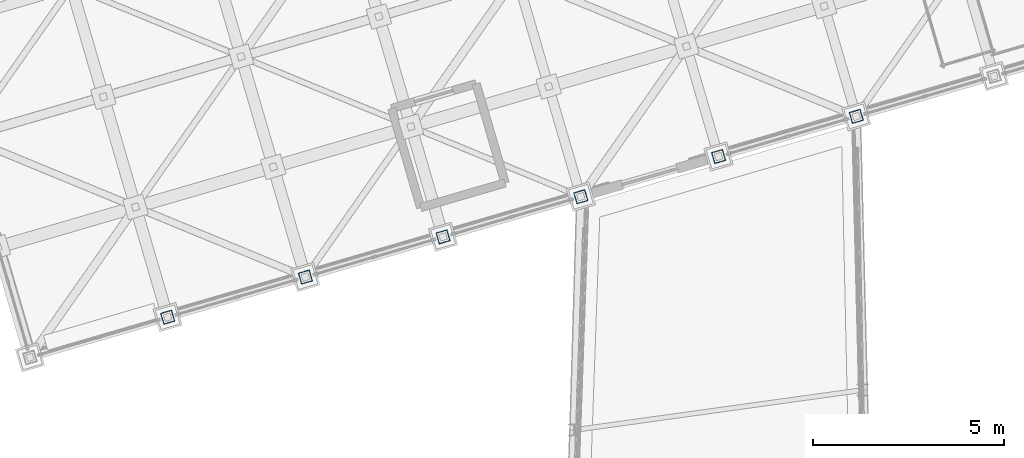
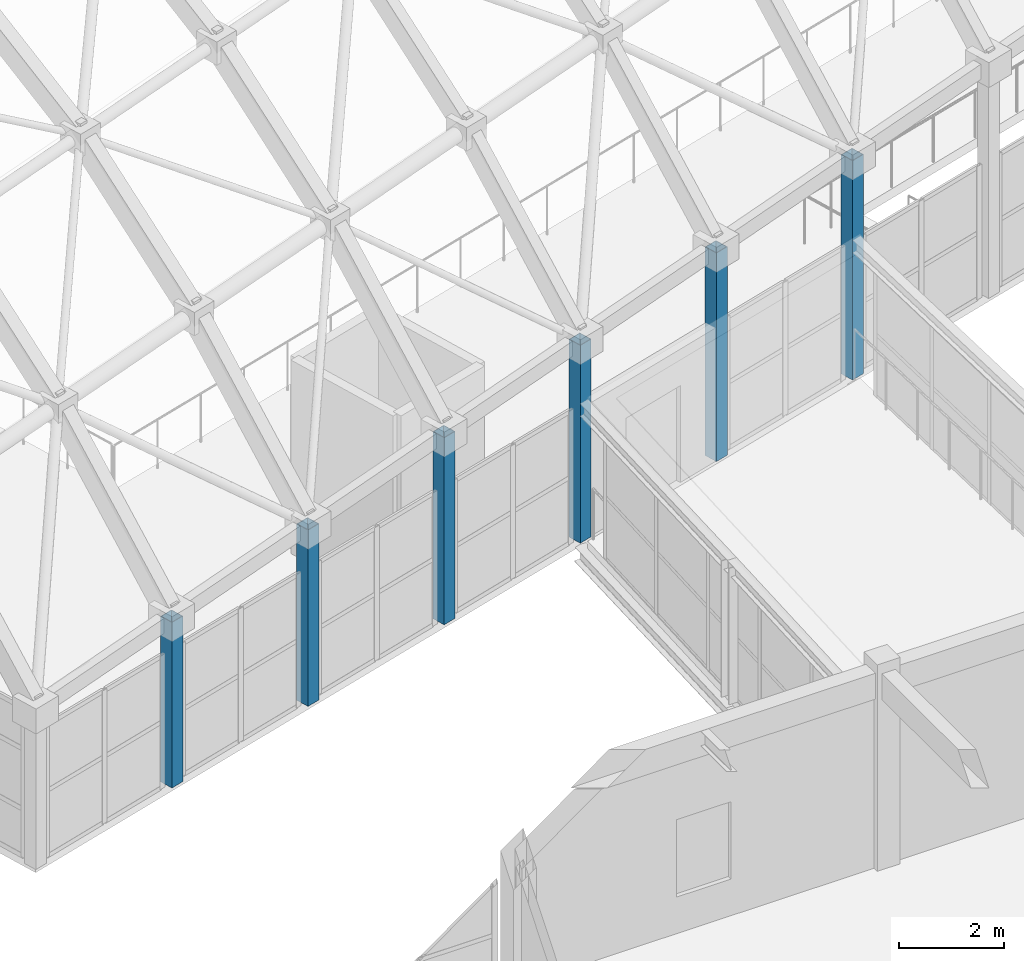
# One storey, part 3 of 248: 6 columns.
"""IFC4 building model written with IfcOpenShell, lengths in metres."""

import ifcopenshell
import ifcopenshell.guid

model = None  # the IFC model being written
_history = None  # IfcOwnerHistory: only IFC2X3 demands one
_inside = {}  # id of a spatial element -> (the spatial element, [elements in it])
_under = {}  # id of a project, library or spatial element -> (it, [spatial elements below it])
_declared = {}  # id of a project -> (the project, [libraries it declares])
_typed = {}  # id of a type object -> (the type object, [elements of that type])
_made_of = {}  # id of a material, layer set ... -> (it, [elements and type objects made of it])


def new_model(schema):
    """Start an empty IFC model of exactly this schema.

    Asked for "IFC4X3", IfcOpenShell would pick the latest addendum, in which some entities
    have other attributes; the version numbers below select the first issue.
    IFC2X3 requires an IfcOwnerHistory on every rooted entity: one is made here for all.
    """
    global model, _history
    if schema == "IFC4X3":
        model = ifcopenshell.file(schema_version=(4, 3, 0, 0))
    else:
        model = ifcopenshell.file(schema=schema)
    _inside.clear()
    _under.clear()
    _declared.clear()
    _typed.clear()
    _made_of.clear()
    _history = None
    if model.schema == "IFC2X3":
        org = make("IfcOrganization", Name="unknown")
        user = make(
            "IfcPersonAndOrganization",
            ThePerson=make("IfcPerson", FamilyName="unknown"),
            TheOrganization=org,
        )
        app = make(
            "IfcApplication",
            ApplicationDeveloper=org,
            Version="unknown",
            ApplicationFullName="unknown",
            ApplicationIdentifier="unknown",
        )
        _history = make(
            "IfcOwnerHistory",
            OwningUser=user,
            OwningApplication=app,
            ChangeAction="ADDED",
            CreationDate=0,
        )
    return model


def make(cls, **values):
    """One entity of the class cls with the attributes given. An attribute that is None is left unset."""
    return model.create_entity(
        cls, **{name: value for name, value in values.items() if value is not None}
    )


def rooted(cls, **values):
    """An entity with a GlobalId (a new one), such as an element, a storey or a relation."""
    return make(cls, GlobalId=ifcopenshell.guid.new(), OwnerHistory=_history, **values)


def si_unit(unit_type, name, prefix=None):
    """IfcSIUnit, for example si_unit("LENGTHUNIT", "METRE", prefix="MILLI")."""
    return make("IfcSIUnit", UnitType=unit_type, Prefix=prefix, Name=name)


def assignment(units):
    """IfcUnitAssignment: the units of a project."""
    return None if units is None else make("IfcUnitAssignment", Units=units)


def point(xyz):
    """IfcCartesianPoint."""
    return None if xyz is None else make("IfcCartesianPoint", Coordinates=xyz)


def direction(xyz):
    """IfcDirection."""
    return None if xyz is None else make("IfcDirection", DirectionRatios=xyz)


def frame(location, z_axis=None, x_axis=None):
    """IfcAxis2Placement3D, a coordinate frame: its origin and axes. An axis left out is left unset."""
    return make(
        "IfcAxis2Placement3D",
        Location=point(location),
        Axis=direction(z_axis),
        RefDirection=direction(x_axis),
    )


def frame_2d(location, x_axis=None):
    """IfcAxis2Placement2D, a coordinate frame in the plane: its origin and x axis."""
    return make(
        "IfcAxis2Placement2D", Location=point(location), RefDirection=direction(x_axis)
    )


def origin():
    """The frame at (0, 0, 0) with its axes left unset."""
    return frame((0.0, 0.0, 0.0))


def origin_2d():
    """The frame at (0, 0) in the plane with its x axis left unset."""
    return frame_2d((0.0, 0.0))


def place(relative_to, where):
    """IfcLocalPlacement: puts the frame where relative to a parent placement (None: the world)."""
    return make(
        "IfcLocalPlacement", PlacementRelTo=relative_to, RelativePlacement=where
    )


def context(
    kind, dimensions, precision=None, world=None, true_north=None, identifier=None
):
    """IfcGeometricRepresentationContext, for example the 3D "Model" context."""
    return make(
        "IfcGeometricRepresentationContext",
        ContextIdentifier=identifier,
        ContextType=kind,
        CoordinateSpaceDimension=dimensions,
        Precision=precision,
        WorldCoordinateSystem=world,
        TrueNorth=true_north,
    )


def subcontext(parent, identifier, kind, view, scale=None):
    """IfcGeometricRepresentationSubContext, for example "Body" below "Model"."""
    return make(
        "IfcGeometricRepresentationSubContext",
        ContextIdentifier=identifier,
        ContextType=kind,
        ParentContext=parent,
        TargetScale=scale,
        TargetView=view,
    )


def project(units=None, contexts=None):
    """IfcProject with its units and contexts."""
    return rooted(
        "IfcProject",
        Name="project",
        RepresentationContexts=contexts,
        UnitsInContext=assignment(units),
    )


def spatial(cls, under=None, at=None, **own):
    """A site, building, storey or space (cls), placed at a placement, below another one or the project."""
    s = rooted(cls, ObjectPlacement=at, **own)
    if under is not None:
        _under.setdefault(under.id(), (under, []))[1].append(s)
    return s


def profile(cls, at=None, kind="AREA", **sizes):
    """A parametric profile (cls). Its sizes go by their IFC names, for example OverallWidth=200.0."""
    return make(cls, ProfileType=kind, Position=at, **sizes)


def hollow_rectangle(**sizes):
    """IfcRectangleHollowProfileDef."""
    return profile("IfcRectangleHollowProfileDef", **sizes)


def extrude(swept, where, along, depth):
    """IfcExtrudedAreaSolid: the profile swept, set in the frame where, extruded along a direction by depth."""
    return make(
        "IfcExtrudedAreaSolid",
        SweptArea=swept,
        Position=where,
        ExtrudedDirection=direction(along),
        Depth=depth,
    )


def shape(context_of_items, identifier, shape_type, items):
    """IfcShapeRepresentation: the items that make up one representation, for example the "Body"."""
    return make(
        "IfcShapeRepresentation",
        ContextOfItems=context_of_items,
        RepresentationIdentifier=identifier,
        RepresentationType=shape_type,
        Items=items,
    )


def material(Name=None, Category=None):
    """IfcMaterial."""
    return make("IfcMaterial", Name=Name, Category=Category)


def material_profile(
    of_material, cross_section, Name=None, Category=None, Priority=None
):
    """IfcMaterialProfile: a cross section and its material."""
    return make(
        "IfcMaterialProfile",
        Name=Name,
        Material=of_material,
        Profile=cross_section,
        Priority=Priority,
        Category=Category,
    )


def profile_set(profiles, Name=None, composite=None):
    """IfcMaterialProfileSet."""
    return make(
        "IfcMaterialProfileSet",
        Name=Name,
        MaterialProfiles=profiles,
        CompositeProfile=composite,
    )


def made_of(thing, what):
    """Note that an element or type object is made of a material, layer set ...; save() writes the relation."""
    if what is not None:
        _made_of.setdefault(what.id(), (what, []))[1].append(thing)
    return thing


def type_object(cls, material=None, **own):
    """A type object (cls), such as IfcWallType, which elements share."""
    return made_of(rooted(cls, **own), material)


def element(
    cls,
    number,
    at=None,
    inside=None,
    cuts=None,
    type_object=None,
    material=None,
    context=None,
    identifier="Body",
    shape_type=None,
    held_by="IfcProductDefinitionShape",
    body=None,
    shapes=None,
    **own,
):
    """One element of the class cls, such as IfcWall. Its Tag is "e" and its number.

    at: its placement. inside: the storey or other place that contains it. cuts: it is an
    opening in that element (IfcRelVoidsElement). A single representation is given by context,
    identifier, shape_type and body (its items); several are given by shapes. held_by: the class
    of the entity that holds the representations. save() writes the other relations.
    """
    e = rooted(cls, Tag="e%d" % number, ObjectPlacement=at, **own)
    if body is not None:
        shapes = [shape(context, identifier, shape_type, body)]
    if shapes is not None:
        e.Representation = make(held_by, Representations=shapes)
    if inside is not None:
        _inside.setdefault(inside.id(), (inside, []))[1].append(e)
    if cuts is not None:
        rooted(
            "IfcRelVoidsElement", RelatingBuildingElement=cuts, RelatedOpeningElement=e
        )
    if type_object is not None:
        _typed.setdefault(type_object.id(), (type_object, []))[1].append(e)
    return made_of(e, material)


def aggregate(whole, parts):
    """IfcRelAggregates: a whole, such as a stair, and the parts it consists of."""
    return rooted("IfcRelAggregates", RelatingObject=whole, RelatedObjects=parts)


def save(model, path):
    """Write the relations noted so far, then the file.

    IfcRelAggregates (storeys below a building ...), IfcRelContainedInSpatialStructure (elements
    in a storey), IfcRelDefinesByType, IfcRelAssociatesMaterial and IfcRelDeclares: one each for
    every whole, place, type object, material and project.
    """
    for whole, parts in _under.values():
        aggregate(whole, parts)
    for where, things in _inside.values():
        rooted(
            "IfcRelContainedInSpatialStructure",
            RelatedElements=things,
            RelatingStructure=where,
        )
    for kind, things in _typed.values():
        rooted("IfcRelDefinesByType", RelatedObjects=things, RelatingType=kind)
    for what, things in _made_of.values():
        rooted("IfcRelAssociatesMaterial", RelatedObjects=things, RelatingMaterial=what)
    for by, libraries in _declared.values():
        rooted("IfcRelDeclares", RelatingContext=by, RelatedDefinitions=libraries)
    model.write(path)


model = new_model("IFC4")

# Units and contexts
model_context = context("Model", 3, precision=1e-05, world=origin(), true_north=direction((0.0, 1.0)))
body_context = subcontext(model_context, "Body", "Model", "MODEL_VIEW")
ifc_project = project(units=[si_unit("LENGTHUNIT", "METRE"), si_unit("AREAUNIT", "SQUARE_METRE"), si_unit("VOLUMEUNIT", "CUBIC_METRE"), si_unit("PLANEANGLEUNIT", "RADIAN"), si_unit("MASSUNIT", "GRAM", prefix="KILO")], contexts=[model_context])

# Site, building, storey
site_placement = place(None, origin())
site = spatial("IfcSite", under=ifc_project, at=site_placement, CompositionType="ELEMENT")
building_placement = place(site_placement, origin())
building = spatial("IfcBuilding", under=site, at=building_placement, Name="Canggui Botanical Conservatory", CompositionType="ELEMENT")
storey_placement = place(building_placement, frame((0.0, 0.0, 5.39990234375)))
storey = spatial("IfcBuildingStorey", under=building, at=storey_placement, Name="L02", CompositionType="ELEMENT", Elevation=5.39990234375)

# Columns
ifc_material = material(Name="Steel Q355C", Category="steel")
ifc_material_profile = material_profile(ifc_material, hollow_rectangle(XDim=0.300048828125, YDim=0.300048828125, WallThickness=0.010009765625, at=origin_2d()), Name="SHS 300x300x10")
ifc_profile_set = profile_set([ifc_material_profile], Name="Steel Q355C")
column_type = type_object("IfcColumnType", Name="COL-GZ02", PredefinedType="COLUMN", material=ifc_profile_set)
column_1_placement = place(storey_placement, frame((23.60009765625, 43.050048828125, 0.0), z_axis=(0.0, 0.0, 1.0), x_axis=(0.960000000041, 0.279999999861, 0.0)))
element("IfcColumn", 1, at=column_1_placement, inside=storey, type_object=column_type, Name="Conservatory Upper Arch Pier L02 R2-V0", PredefinedType="COLUMN", context=body_context, shape_type="SweptSolid", body=[
    extrude(hollow_rectangle(XDim=0.300048828125, YDim=0.300048828125, WallThickness=0.010009765625, at=origin_2d()), origin(), (0.0, 0.0, 1.0), 3.85009765625),
])
column_2_placement = place(storey_placement, frame((27.199951171875, 44.10009765625, 0.0), z_axis=(0.0, 0.0, 1.0), x_axis=(0.960000000041, 0.279999999861, 0.0)))
element("IfcColumn", 2, at=column_2_placement, inside=storey, type_object=column_type, Name="Conservatory Upper Arch Pier L02 R3-V0", PredefinedType="COLUMN", context=body_context, shape_type="SweptSolid", body=[
    extrude(hollow_rectangle(XDim=0.300048828125, YDim=0.300048828125, WallThickness=0.010009765625, at=origin_2d()), origin(), (0.0, 0.0, 1.0), 4.10009765625),
])
column_3_placement = place(storey_placement, frame((30.800048828125, 45.14990234375, 0.0), z_axis=(0.0, 0.0, 1.0), x_axis=(0.960000000041, 0.279999999861, 0.0)))
element("IfcColumn", 3, at=column_3_placement, inside=storey, type_object=column_type, Name="Conservatory Upper Arch Pier L02 R4-V0", PredefinedType="COLUMN", context=body_context, shape_type="SweptSolid", body=[
    extrude(hollow_rectangle(XDim=0.300048828125, YDim=0.300048828125, WallThickness=0.010009765625, at=origin_2d()), origin(), (0.0, 0.0, 1.0), 4.35009765625),
])
column_4_placement = place(storey_placement, frame((34.39990234375, 46.199951171875, 0.0), z_axis=(0.0, 0.0, 1.0), x_axis=(0.960000000041, 0.279999999861, 0.0)))
element("IfcColumn", 4, at=column_4_placement, inside=storey, type_object=column_type, Name="Conservatory Upper Arch Pier L02 R5-V0", PredefinedType="COLUMN", context=body_context, shape_type="SweptSolid", body=[
    extrude(hollow_rectangle(XDim=0.300048828125, YDim=0.300048828125, WallThickness=0.010009765625, at=origin_2d()), origin(), (0.0, 0.0, 1.0), 4.60009765625),
])
column_5_placement = place(storey_placement, frame((38.0, 47.25, 0.0), z_axis=(0.0, 0.0, 1.0), x_axis=(0.960000000041, 0.279999999861, 0.0)))
element("IfcColumn", 5, at=column_5_placement, inside=storey, type_object=column_type, Name="Conservatory Upper Arch Pier L02 R6-V0", PredefinedType="COLUMN", context=body_context, shape_type="SweptSolid", body=[
    extrude(hollow_rectangle(XDim=0.300048828125, YDim=0.300048828125, WallThickness=0.010009765625, at=origin_2d()), origin(), (0.0, 0.0, 1.0), 4.85009765625),
])
column_6_placement = place(storey_placement, frame((41.60009765625, 48.300048828125, 0.0), z_axis=(0.0, 0.0, 1.0), x_axis=(0.960000000041, 0.279999999861, 0.0)))
element("IfcColumn", 6, at=column_6_placement, inside=storey, type_object=column_type, Name="Conservatory Upper Arch Pier L02 R7-V0", PredefinedType="COLUMN", context=body_context, shape_type="SweptSolid", body=[
    extrude(hollow_rectangle(XDim=0.300048828125, YDim=0.300048828125, WallThickness=0.010009765625, at=origin_2d()), origin(), (0.0, 0.0, 1.0), 5.10009765625),
])

save(model, "model.ifc")
